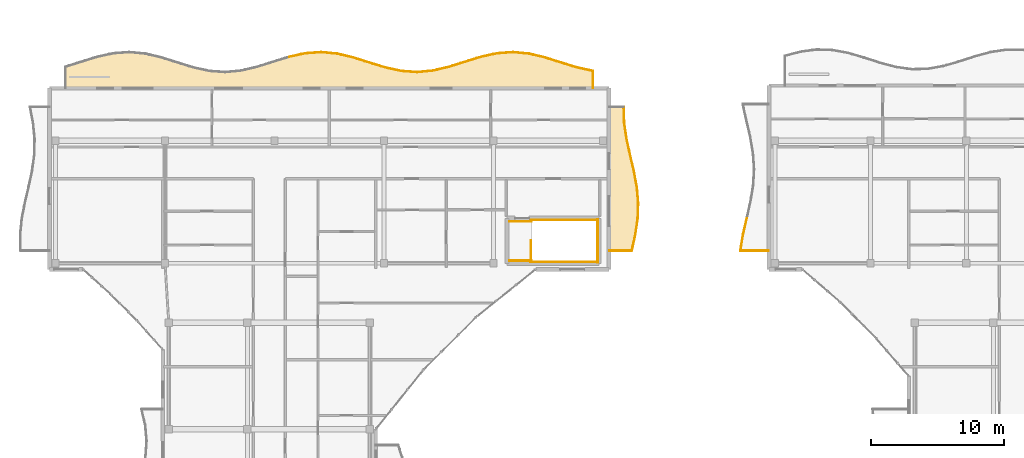
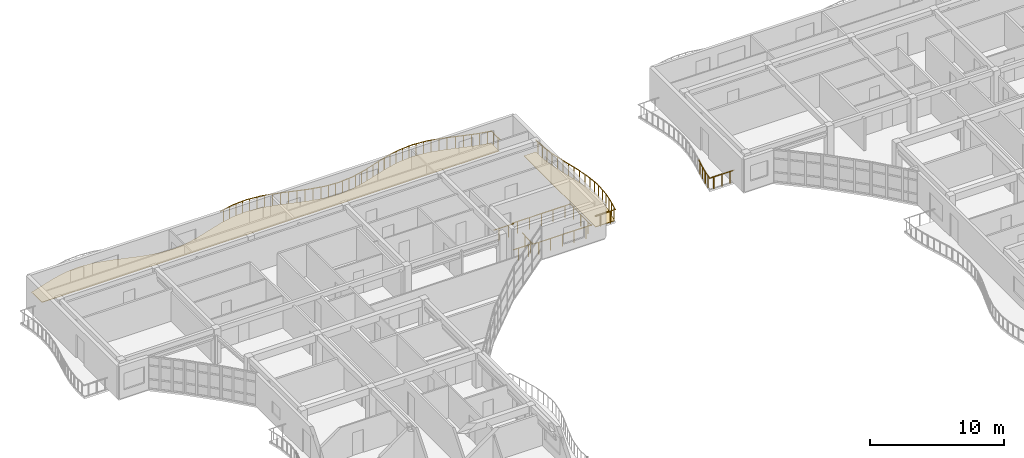
# One storey, part 39 of 49: 39 railings, 2 coverings.
"""IFC4 building model written with IfcOpenShell, lengths in metres."""

from ifc_helpers import new_model, si_unit, direction, frame, origin, origin_2d, place, context, subcontext, project, spatial, polyline, circle, outline, extrude, material, layer, layer_set, type_object, element, save


model = new_model("IFC4")

# Units and contexts
model_context = context("Model", 3, precision=1e-05, world=origin(), true_north=direction((0.0, 1.0)))
body_context = subcontext(model_context, "Body", "Model", "MODEL_VIEW")
ifc_project = project(units=[si_unit("LENGTHUNIT", "METRE"), si_unit("AREAUNIT", "SQUARE_METRE"), si_unit("VOLUMEUNIT", "CUBIC_METRE"), si_unit("PLANEANGLEUNIT", "RADIAN"), si_unit("MASSUNIT", "GRAM", prefix="KILO")], contexts=[model_context])

# Site, building, storey
site_placement = place(None, origin())
site = spatial("IfcSite", under=ifc_project, at=site_placement, CompositionType="ELEMENT")
building_placement = place(site_placement, origin())
building = spatial("IfcBuilding", under=site, at=building_placement, Name="Keldmere Railside Commons", CompositionType="ELEMENT")
storey_placement = place(building_placement, frame((0.0, 0.0, 29.760009765625)))
storey = spatial("IfcBuildingStorey", under=building, at=storey_placement, Name="L09", CompositionType="ELEMENT", Elevation=29.760009765625)

# Railings
ifc_material_1 = material(Name="Steel F-24 (S235)", Category="steel")
railing_type_1 = type_object("IfcRailingType", Name="Balcony & Terrace Steel Balustrade 1100", PredefinedType="BALUSTRADE", material=ifc_material_1)
railing_1_placement = place(storey_placement, frame((57.5, 115.950927734375, 0.0)))
element("IfcRailing", 1, at=railing_1_placement, inside=storey, type_object=railing_type_1, Name="GR-1 GRD-L09-1758", PredefinedType="BALUSTRADE", context=body_context, shape_type="SweptSolid", body=[
    extrude(circle(Radius=0.02392578125, at=origin_2d()), frame((0.0, 0.0, 1.076171875), z_axis=(0.976781887046, 0.214236190078, 0.0), x_axis=(-0.214236190078, 0.976781887046, 0.0)), (0.0, 0.0, 1.0), 1.228515625),
    extrude(circle(Radius=0.02099609375, at=origin_2d()), frame((0.300048828125, 0.06591796875, 0.0)), (0.0, 0.0, 1.0), 1.048095703125),
    extrude(circle(Radius=0.02099609375, at=origin_2d()), frame((0.89990234375, 0.197265625, 0.0)), (0.0, 0.0, 1.0), 1.048095703125),
])
railing_2_placement = place(storey_placement, frame((58.699951171875, 116.214111328125, 0.0)))
element("IfcRailing", 2, at=railing_2_placement, inside=storey, type_object=railing_type_1, Name="GR-1 GRD-L09-1759", PredefinedType="BALUSTRADE", context=body_context, shape_type="SweptSolid", body=[
    extrude(circle(Radius=0.02392578125, at=origin_2d()), frame((0.0, 0.0, 1.076171875), z_axis=(0.997488487704, 0.0708287858, 0.0), x_axis=(-0.0708287858, 0.997488487704, 0.0)), (0.0, 0.0, 1.0), 1.202880859375),
    extrude(circle(Radius=0.02099609375, at=origin_2d()), frame((0.300048828125, 0.021240234375, 0.0)), (0.0, 0.0, 1.0), 1.048095703125),
    extrude(circle(Radius=0.02099609375, at=origin_2d()), frame((0.89990234375, 0.06396484375, 0.0)), (0.0, 0.0, 1.0), 1.048095703125),
])
railing_3_placement = place(storey_placement, frame((59.89990234375, 116.29931640625, 0.0)))
element("IfcRailing", 3, at=railing_3_placement, inside=storey, type_object=railing_type_1, Name="GR-1 GRD-L09-1760", PredefinedType="BALUSTRADE", context=body_context, shape_type="SweptSolid", body=[
    extrude(circle(Radius=0.02392578125, at=origin_2d()), frame((0.0, 0.0, 1.076171875), z_axis=(0.995403091464, -0.09577413797, 0.0), x_axis=(0.09577413797, 0.995403091464, 0.0)), (0.0, 0.0, 1.0), 1.205810546875),
    extrude(circle(Radius=0.02099609375, at=origin_2d()), frame((0.300048828125, -0.02880859375, 0.0)), (0.0, 0.0, 1.0), 1.048095703125),
    extrude(circle(Radius=0.02099609375, at=origin_2d()), frame((0.900146484375, -0.086669921875, 0.0)), (0.0, 0.0, 1.0), 1.048095703125),
])
railing_4_placement = place(storey_placement, frame((61.10009765625, 116.183837890625, 0.0)))
element("IfcRailing", 4, at=railing_4_placement, inside=storey, type_object=railing_type_1, Name="GR-1 GRD-L09-1761", PredefinedType="BALUSTRADE", context=body_context, shape_type="SweptSolid", body=[
    extrude(circle(Radius=0.02392578125, at=origin_2d()), frame((0.0, 0.0, 1.076171875), z_axis=(0.972861405577, -0.231388602873, 0.0), x_axis=(0.231388602873, 0.972861405577, 0.0)), (0.0, 0.0, 1.0), 1.2333984375),
    extrude(circle(Radius=0.02099609375, at=origin_2d()), frame((0.300048828125, -0.0712890625, 0.0)), (0.0, 0.0, 1.0), 1.048095703125),
    extrude(circle(Radius=0.02099609375, at=origin_2d()), frame((0.89990234375, -0.214111328125, 0.0)), (0.0, 0.0, 1.0), 1.048095703125),
])
railing_5_placement = place(storey_placement, frame((62.300048828125, 115.8984375, 0.0)))
element("IfcRailing", 5, at=railing_5_placement, inside=storey, type_object=railing_type_1, Name="GR-1 GRD-L09-1762", PredefinedType="BALUSTRADE", context=body_context, shape_type="SweptSolid", body=[
    extrude(circle(Radius=0.02392578125, at=origin_2d()), frame((0.0, 0.0, 1.076171875), z_axis=(0.953644225651, -0.300936356864, 0.0), x_axis=(0.300936356864, 0.953644225651, 0.0)), (0.0, 0.0, 1.0), 1.25830078125),
    extrude(circle(Radius=0.02099609375, at=origin_2d()), frame((0.300048828125, -0.0947265625, 0.0)), (0.0, 0.0, 1.0), 1.048095703125),
    extrude(circle(Radius=0.02099609375, at=origin_2d()), frame((0.89990234375, -0.283935546875, 0.0)), (0.0, 0.0, 1.0), 1.048095703125),
])
railing_6_placement = place(storey_placement, frame((63.5, 115.519775390625, 0.0)))
element("IfcRailing", 6, at=railing_6_placement, inside=storey, type_object=railing_type_1, Name="GR-1 GRD-L09-1763", PredefinedType="BALUSTRADE", context=body_context, shape_type="SweptSolid", body=[
    extrude(circle(Radius=0.02392578125, at=origin_2d()), frame((0.0, 0.0, 1.076171875), z_axis=(0.95546743694, -0.295096555295, 0.0), x_axis=(0.295096555295, 0.95546743694, 0.0)), (0.0, 0.0, 1.0), 1.255859375),
    extrude(circle(Radius=0.02099609375, at=origin_2d()), frame((0.300048828125, -0.0927734375, 0.0)), (0.0, 0.0, 1.0), 1.048095703125),
    extrude(circle(Radius=0.02099609375, at=origin_2d()), frame((0.89990234375, -0.27783203125, 0.0)), (0.0, 0.0, 1.0), 1.048095703125),
])
railing_7_placement = place(storey_placement, frame((64.699951171875, 115.149169921875, 0.0)))
element("IfcRailing", 7, at=railing_7_placement, inside=storey, type_object=railing_type_1, Name="GR-1 GRD-L09-1764", PredefinedType="BALUSTRADE", context=body_context, shape_type="SweptSolid", body=[
    extrude(circle(Radius=0.02392578125, at=origin_2d()), frame((0.0, 0.0, 1.076171875), z_axis=(0.976781887046, -0.214236190078, 0.0), x_axis=(0.214236190078, 0.976781887046, 0.0)), (0.0, 0.0, 1.0), 1.228515625),
    extrude(circle(Radius=0.02099609375, at=origin_2d()), frame((0.300048828125, -0.06591796875, 0.0)), (0.0, 0.0, 1.0), 1.048095703125),
    extrude(circle(Radius=0.02099609375, at=origin_2d()), frame((0.89990234375, -0.197265625, 0.0)), (0.0, 0.0, 1.0), 1.048095703125),
])
railing_8_placement = place(storey_placement, frame((65.89990234375, 114.885986328125, 0.0)))
element("IfcRailing", 8, at=railing_8_placement, inside=storey, type_object=railing_type_1, Name="GR-1 GRD-L09-1765", PredefinedType="BALUSTRADE", context=body_context, shape_type="SweptSolid", body=[
    extrude(circle(Radius=0.02392578125, at=origin_2d()), frame((0.0, 0.0, 1.076171875), z_axis=(0.997475152646, -0.071016335115, 0.0), x_axis=(0.071016335115, 0.997475152646, 0.0)), (0.0, 0.0, 1.0), 1.203125),
    extrude(circle(Radius=0.02099609375, at=origin_2d()), frame((0.300048828125, -0.021484375, 0.0)), (0.0, 0.0, 1.0), 1.048095703125),
    extrude(circle(Radius=0.02099609375, at=origin_2d()), frame((0.900146484375, -0.06396484375, 0.0)), (0.0, 0.0, 1.0), 1.048095703125),
])
railing_9_placement = place(storey_placement, frame((67.10009765625, 114.800537109375, 0.0)))
element("IfcRailing", 9, at=railing_9_placement, inside=storey, type_object=railing_type_1, Name="GR-1 GRD-L09-1766", PredefinedType="BALUSTRADE", context=body_context, shape_type="SweptSolid", body=[
    extrude(circle(Radius=0.02392578125, at=origin_2d()), frame((0.0, 0.0, 1.076171875), z_axis=(0.995381902574, 0.095994104134, 0.0), x_axis=(-0.095994104134, 0.995381902574, 0.0)), (0.0, 0.0, 1.0), 1.20556640625),
    extrude(circle(Radius=0.02099609375, at=origin_2d()), frame((0.300048828125, 0.02880859375, 0.0)), (0.0, 0.0, 1.0), 1.048095703125),
    extrude(circle(Radius=0.02099609375, at=origin_2d()), frame((0.89990234375, 0.0869140625, 0.0)), (0.0, 0.0, 1.0), 1.048095703125),
])
railing_10_placement = place(storey_placement, frame((68.300048828125, 114.916259765625, 0.0)))
element("IfcRailing", 10, at=railing_10_placement, inside=storey, type_object=railing_type_1, Name="GR-1 GRD-L09-1767", PredefinedType="BALUSTRADE", context=body_context, shape_type="SweptSolid", body=[
    extrude(circle(Radius=0.02392578125, at=origin_2d()), frame((0.0, 0.0, 1.076171875), z_axis=(0.972905947034, 0.231201250485, 0.0), x_axis=(-0.231201250485, 0.972905947034, 0.0)), (0.0, 0.0, 1.0), 1.2333984375),
    extrude(circle(Radius=0.02099609375, at=origin_2d()), frame((0.300048828125, 0.0712890625, 0.0)), (0.0, 0.0, 1.0), 1.048095703125),
    extrude(circle(Radius=0.02099609375, at=origin_2d()), frame((0.89990234375, 0.2138671875, 0.0)), (0.0, 0.0, 1.0), 1.048095703125),
])
railing_11_placement = place(storey_placement, frame((69.5, 115.201416015625, 0.0)))
element("IfcRailing", 11, at=railing_11_placement, inside=storey, type_object=railing_type_1, Name="GR-1 GRD-L09-1768", PredefinedType="BALUSTRADE", context=body_context, shape_type="SweptSolid", body=[
    extrude(circle(Radius=0.02392578125, at=origin_2d()), frame((0.0, 0.0, 1.076171875), z_axis=(0.953588529416, 0.301112797081, 0.0), x_axis=(-0.301112797081, 0.953588529416, 0.0)), (0.0, 0.0, 1.0), 1.25830078125),
    extrude(circle(Radius=0.02099609375, at=origin_2d()), frame((0.300048828125, 0.0947265625, 0.0)), (0.0, 0.0, 1.0), 1.048095703125),
    extrude(circle(Radius=0.02099609375, at=origin_2d()), frame((0.89990234375, 0.2841796875, 0.0)), (0.0, 0.0, 1.0), 1.048095703125),
])
railing_12_placement = place(storey_placement, frame((70.699951171875, 115.580322265625, 0.0)))
element("IfcRailing", 12, at=railing_12_placement, inside=storey, type_object=railing_type_1, Name="GR-1 GRD-L09-1769", PredefinedType="BALUSTRADE", context=body_context, shape_type="SweptSolid", body=[
    extrude(circle(Radius=0.02392578125, at=origin_2d()), frame((0.0, 0.0, 1.076171875), z_axis=(0.95546743694, 0.295096555295, 0.0), x_axis=(-0.295096555295, 0.95546743694, 0.0)), (0.0, 0.0, 1.0), 1.255859375),
    extrude(circle(Radius=0.02099609375, at=origin_2d()), frame((0.300048828125, 0.0927734375, 0.0)), (0.0, 0.0, 1.0), 1.048095703125),
    extrude(circle(Radius=0.02099609375, at=origin_2d()), frame((0.89990234375, 0.27783203125, 0.0)), (0.0, 0.0, 1.0), 1.048095703125),
])
railing_13_placement = place(storey_placement, frame((71.89990234375, 115.950927734375, 0.0)))
element("IfcRailing", 13, at=railing_13_placement, inside=storey, type_object=railing_type_1, Name="GR-1 GRD-L09-1770", PredefinedType="BALUSTRADE", context=body_context, shape_type="SweptSolid", body=[
    extrude(circle(Radius=0.02392578125, at=origin_2d()), frame((0.0, 0.0, 1.076171875), z_axis=(0.976791005754, 0.214194610293, 0.0), x_axis=(-0.214194610293, 0.976791005754, 0.0)), (0.0, 0.0, 1.0), 1.228759765625),
    extrude(circle(Radius=0.02099609375, at=origin_2d()), frame((0.300048828125, 0.06591796875, 0.0)), (0.0, 0.0, 1.0), 1.048095703125),
    extrude(circle(Radius=0.02099609375, at=origin_2d()), frame((0.900146484375, 0.197265625, 0.0)), (0.0, 0.0, 1.0), 1.048095703125),
])
railing_14_placement = place(storey_placement, frame((73.10009765625, 116.214111328125, 0.0)))
element("IfcRailing", 14, at=railing_14_placement, inside=storey, type_object=railing_type_1, Name="GR-1 GRD-L09-1771", PredefinedType="BALUSTRADE", context=body_context, shape_type="SweptSolid", body=[
    extrude(circle(Radius=0.02392578125, at=origin_2d()), frame((0.0, 0.0, 1.076171875), z_axis=(0.997488487704, 0.0708287858, 0.0), x_axis=(-0.0708287858, 0.997488487704, 0.0)), (0.0, 0.0, 1.0), 1.202880859375),
    extrude(circle(Radius=0.02099609375, at=origin_2d()), frame((0.300048828125, 0.021240234375, 0.0)), (0.0, 0.0, 1.0), 1.048095703125),
    extrude(circle(Radius=0.02099609375, at=origin_2d()), frame((0.89990234375, 0.06396484375, 0.0)), (0.0, 0.0, 1.0), 1.048095703125),
])
railing_15_placement = place(storey_placement, frame((74.300048828125, 116.29931640625, 0.0)))
element("IfcRailing", 15, at=railing_15_placement, inside=storey, type_object=railing_type_1, Name="GR-1 GRD-L09-1772", PredefinedType="BALUSTRADE", context=body_context, shape_type="SweptSolid", body=[
    extrude(circle(Radius=0.02392578125, at=origin_2d()), frame((0.0, 0.0, 1.076171875), z_axis=(0.995401233596, -0.095793445268, 0.0), x_axis=(0.095793445268, 0.995401233596, 0.0)), (0.0, 0.0, 1.0), 1.20556640625),
    extrude(circle(Radius=0.02099609375, at=origin_2d()), frame((0.300048828125, -0.02880859375, 0.0)), (0.0, 0.0, 1.0), 1.048095703125),
    extrude(circle(Radius=0.02099609375, at=origin_2d()), frame((0.89990234375, -0.086669921875, 0.0)), (0.0, 0.0, 1.0), 1.048095703125),
])
railing_16_placement = place(storey_placement, frame((75.5, 116.183837890625, 0.0)))
element("IfcRailing", 16, at=railing_16_placement, inside=storey, type_object=railing_type_1, Name="GR-1 GRD-L09-1773", PredefinedType="BALUSTRADE", context=body_context, shape_type="SweptSolid", body=[
    extrude(circle(Radius=0.02392578125, at=origin_2d()), frame((0.0, 0.0, 1.076171875), z_axis=(0.972861405577, -0.231388602873, 0.0), x_axis=(0.231388602873, 0.972861405577, 0.0)), (0.0, 0.0, 1.0), 1.2333984375),
    extrude(circle(Radius=0.02099609375, at=origin_2d()), frame((0.300048828125, -0.0712890625, 0.0)), (0.0, 0.0, 1.0), 1.048095703125),
    extrude(circle(Radius=0.02099609375, at=origin_2d()), frame((0.89990234375, -0.214111328125, 0.0)), (0.0, 0.0, 1.0), 1.048095703125),
])
railing_17_placement = place(storey_placement, frame((76.699951171875, 115.8984375, 0.0)))
element("IfcRailing", 17, at=railing_17_placement, inside=storey, type_object=railing_type_1, Name="GR-1 GRD-L09-1774", PredefinedType="BALUSTRADE", context=body_context, shape_type="SweptSolid", body=[
    extrude(circle(Radius=0.02392578125, at=origin_2d()), frame((0.0, 0.0, 1.076171875), z_axis=(0.953644225651, -0.300936356864, 0.0), x_axis=(0.300936356864, 0.953644225651, 0.0)), (0.0, 0.0, 1.0), 1.25830078125),
    extrude(circle(Radius=0.02099609375, at=origin_2d()), frame((0.300048828125, -0.0947265625, 0.0)), (0.0, 0.0, 1.0), 1.048095703125),
    extrude(circle(Radius=0.02099609375, at=origin_2d()), frame((0.89990234375, -0.283935546875, 0.0)), (0.0, 0.0, 1.0), 1.048095703125),
])
railing_18_placement = place(storey_placement, frame((77.89990234375, 115.519775390625, 0.0)))
element("IfcRailing", 18, at=railing_18_placement, inside=storey, type_object=railing_type_1, Name="GR-1 GRD-L09-1775", PredefinedType="BALUSTRADE", context=body_context, shape_type="SweptSolid", body=[
    extrude(circle(Radius=0.02392578125, at=origin_2d()), frame((0.0, 0.0, 1.076171875), z_axis=(0.955484360809, -0.295041753399, 0.0), x_axis=(0.295041753399, 0.955484360809, 0.0)), (0.0, 0.0, 1.0), 1.256103515625),
    extrude(circle(Radius=0.02099609375, at=origin_2d()), frame((0.300048828125, -0.0927734375, 0.0)), (0.0, 0.0, 1.0), 1.048095703125),
    extrude(circle(Radius=0.02099609375, at=origin_2d()), frame((0.900146484375, -0.27783203125, 0.0)), (0.0, 0.0, 1.0), 1.048095703125),
])
railing_19_placement = place(storey_placement, frame((79.10009765625, 115.149169921875, 0.0)))
element("IfcRailing", 19, at=railing_19_placement, inside=storey, type_object=railing_type_1, Name="GR-1 GRD-L09-1776", PredefinedType="BALUSTRADE", context=body_context, shape_type="SweptSolid", body=[
    extrude(circle(Radius=0.02392578125, at=origin_2d()), frame((0.0, 0.0, 1.076171875), z_axis=(0.976781887046, -0.214236190078, 0.0), x_axis=(0.214236190078, 0.976781887046, 0.0)), (0.0, 0.0, 1.0), 1.228515625),
    extrude(circle(Radius=0.02099609375, at=origin_2d()), frame((0.300048828125, -0.06591796875, 0.0)), (0.0, 0.0, 1.0), 1.048095703125),
    extrude(circle(Radius=0.02099609375, at=origin_2d()), frame((0.89990234375, -0.197265625, 0.0)), (0.0, 0.0, 1.0), 1.048095703125),
])
railing_20_placement = place(storey_placement, frame((80.300048828125, 114.885986328125, 0.0)))
element("IfcRailing", 20, at=railing_20_placement, inside=storey, type_object=railing_type_1, Name="GR-1 GRD-L09-1777", PredefinedType="BALUSTRADE", context=body_context, shape_type="SweptSolid", body=[
    extrude(circle(Radius=0.02392578125, at=origin_2d()), frame((0.0, 0.0, 1.076171875), z_axis=(0.0, -1.0, 0.0), x_axis=(1.0, 0.0, 0.0)), (0.0, 0.0, 1.0), 1.285888671875),
    extrude(circle(Radius=0.02099609375, at=origin_2d()), frame((0.0, -0.321533203125, 0.0)), (0.0, 0.0, 1.0), 1.048095703125),
    extrude(circle(Radius=0.02099609375, at=origin_2d()), frame((0.0, -0.96435546875, 0.0)), (0.0, 0.0, 1.0), 1.048095703125),
])
railing_21_placement = place(storey_placement, frame((81.5, 101.39990234375, 0.0)))
element("IfcRailing", 21, at=railing_21_placement, inside=storey, type_object=railing_type_1, Name="GR-1 GRD-L09-1819", PredefinedType="BALUSTRADE", context=body_context, shape_type="SweptSolid", body=[
    extrude(circle(Radius=0.02392578125, at=origin_2d()), frame((0.0, 0.0, 1.076171875), z_axis=(1.0, 0.0, 0.0), x_axis=(0.0, 1.0, 0.0)), (0.0, 0.0, 1.0), 1.714111328125),
    extrude(circle(Radius=0.02099609375, at=origin_2d()), frame((0.428466796875, 0.0, 0.0)), (0.0, 0.0, 1.0), 1.048095703125),
    extrude(circle(Radius=0.02099609375, at=origin_2d()), frame((1.28564453125, 0.0, 0.0)), (0.0, 0.0, 1.0), 1.048095703125),
])
railing_22_placement = place(storey_placement, frame((83.214111328125, 101.39990234375, 0.0)))
element("IfcRailing", 22, at=railing_22_placement, inside=storey, type_object=railing_type_1, Name="GR-1 GRD-L09-1820", PredefinedType="BALUSTRADE", context=body_context, shape_type="SweptSolid", body=[
    extrude(circle(Radius=0.02392578125, at=origin_2d()), frame((0.0, 0.0, 1.076171875), z_axis=(0.215142208594, 0.976582730792, 0.0), x_axis=(-0.976582730792, 0.215142208594, 0.0)), (0.0, 0.0, 1.0), 1.22900390625),
    extrude(circle(Radius=0.02099609375, at=origin_2d()), frame((0.066162109375, 0.300048828125, 0.0)), (0.0, 0.0, 1.0), 1.048095703125),
    extrude(circle(Radius=0.02099609375, at=origin_2d()), frame((0.1982421875, 0.900146484375, 0.0)), (0.0, 0.0, 1.0), 1.048095703125),
])
railing_23_placement = place(storey_placement, frame((83.478515625, 102.60009765625, 0.0)))
element("IfcRailing", 23, at=railing_23_placement, inside=storey, type_object=railing_type_1, Name="GR-1 GRD-L09-1821", PredefinedType="BALUSTRADE", context=body_context, shape_type="SweptSolid", body=[
    extrude(circle(Radius=0.02392578125, at=origin_2d()), frame((0.0, 0.0, 1.076171875), z_axis=(0.145534555691, 0.989353169045, 0.0), x_axis=(-0.989353169045, 0.145534555691, 0.0)), (0.0, 0.0, 1.0), 1.212890625),
    extrude(circle(Radius=0.02099609375, at=origin_2d()), frame((0.044189453125, 0.300048828125, 0.0)), (0.0, 0.0, 1.0), 1.048095703125),
    extrude(circle(Radius=0.02099609375, at=origin_2d()), frame((0.13232421875, 0.89990234375, 0.0)), (0.0, 0.0, 1.0), 1.048095703125),
])
railing_24_placement = place(storey_placement, frame((83.655029296875, 103.800048828125, 0.0)))
element("IfcRailing", 24, at=railing_24_placement, inside=storey, type_object=railing_type_1, Name="GR-1 GRD-L09-1822", PredefinedType="BALUSTRADE", context=body_context, shape_type="SweptSolid", body=[
    extrude(circle(Radius=0.02392578125, at=origin_2d()), frame((0.0, 0.0, 1.076171875), z_axis=(0.03436422878, 0.999409375472, 0.0), x_axis=(-0.999409375472, 0.03436422878, 0.0)), (0.0, 0.0, 1.0), 1.20068359375),
    extrude(circle(Radius=0.02099609375, at=origin_2d()), frame((0.01025390625, 0.300048828125, 0.0)), (0.0, 0.0, 1.0), 1.048095703125),
    extrude(circle(Radius=0.02099609375, at=origin_2d()), frame((0.031005859375, 0.89990234375, 0.0)), (0.0, 0.0, 1.0), 1.048095703125),
])
railing_25_placement = place(storey_placement, frame((83.6962890625, 105.0, 0.0)))
element("IfcRailing", 25, at=railing_25_placement, inside=storey, type_object=railing_type_1, Name="GR-1 GRD-L09-1823", PredefinedType="BALUSTRADE", context=body_context, shape_type="SweptSolid", body=[
    extrude(circle(Radius=0.02392578125, at=origin_2d()), frame((0.0, 0.0, 1.076171875), z_axis=(-0.087355518436, 0.996177199799, 0.0), x_axis=(-0.996177199799, -0.087355518436, 0.0)), (0.0, 0.0, 1.0), 1.20458984375),
    extrude(circle(Radius=0.02099609375, at=origin_2d()), frame((-0.0263671875, 0.300048828125, 0.0)), (0.0, 0.0, 1.0), 1.048095703125),
    extrude(circle(Radius=0.02099609375, at=origin_2d()), frame((-0.078857421875, 0.89990234375, 0.0)), (0.0, 0.0, 1.0), 1.048095703125),
])
railing_26_placement = place(storey_placement, frame((83.591064453125, 106.199951171875, 0.0)))
element("IfcRailing", 26, at=railing_26_placement, inside=storey, type_object=railing_type_1, Name="GR-1 GRD-L09-1824", PredefinedType="BALUSTRADE", context=body_context, shape_type="SweptSolid", body=[
    extrude(circle(Radius=0.02392578125, at=origin_2d()), frame((0.0, 0.0, 1.076171875), z_axis=(-0.183020316383, 0.983109131171, 0.0), x_axis=(-0.983109131171, -0.183020316383, 0.0)), (0.0, 0.0, 1.0), 1.220458984375),
    extrude(circle(Radius=0.02099609375, at=origin_2d()), frame((-0.055908203125, 0.300048828125, 0.0)), (0.0, 0.0, 1.0), 1.048095703125),
    extrude(circle(Radius=0.02099609375, at=origin_2d()), frame((-0.16748046875, 0.89990234375, 0.0)), (0.0, 0.0, 1.0), 1.048095703125),
])
railing_27_placement = place(storey_placement, frame((83.36767578125, 107.39990234375, 0.0)))
element("IfcRailing", 27, at=railing_27_placement, inside=storey, type_object=railing_type_1, Name="GR-1 GRD-L09-1825", PredefinedType="BALUSTRADE", context=body_context, shape_type="SweptSolid", body=[
    extrude(circle(Radius=0.02392578125, at=origin_2d()), frame((0.0, 0.0, 1.076171875), z_axis=(-0.228531555667, 0.973536505769, 0.0), x_axis=(-0.973536505769, -0.228531555667, 0.0)), (0.0, 0.0, 1.0), 1.23291015625),
    extrude(circle(Radius=0.02099609375, at=origin_2d()), frame((-0.0703125, 0.300048828125, 0.0)), (0.0, 0.0, 1.0), 1.048095703125),
    extrude(circle(Radius=0.02099609375, at=origin_2d()), frame((-0.21142578125, 0.900146484375, 0.0)), (0.0, 0.0, 1.0), 1.048095703125),
])
railing_28_placement = place(storey_placement, frame((83.0859375, 108.60009765625, 0.0)))
element("IfcRailing", 28, at=railing_28_placement, inside=storey, type_object=railing_type_1, Name="GR-1 GRD-L09-1826", PredefinedType="BALUSTRADE", context=body_context, shape_type="SweptSolid", body=[
    extrude(circle(Radius=0.02392578125, at=origin_2d()), frame((0.0, 0.0, 1.076171875), z_axis=(-0.215373434555, 0.976531762765, 0.0), x_axis=(-0.976531762765, -0.215373434555, 0.0)), (0.0, 0.0, 1.0), 1.228759765625),
    extrude(circle(Radius=0.02099609375, at=origin_2d()), frame((-0.066162109375, 0.300048828125, 0.0)), (0.0, 0.0, 1.0), 1.048095703125),
    extrude(circle(Radius=0.02099609375, at=origin_2d()), frame((-0.198486328125, 0.89990234375, 0.0)), (0.0, 0.0, 1.0), 1.048095703125),
])
railing_29_placement = place(storey_placement, frame((82.8212890625, 109.800048828125, 0.0)))
element("IfcRailing", 29, at=railing_29_placement, inside=storey, type_object=railing_type_1, Name="GR-1 GRD-L09-1827", PredefinedType="BALUSTRADE", context=body_context, shape_type="SweptSolid", body=[
    extrude(circle(Radius=0.02392578125, at=origin_2d()), frame((0.0, 0.0, 1.076171875), z_axis=(-0.145337517867, 0.989382133405, 0.0), x_axis=(-0.989382133405, -0.145337517867, 0.0)), (0.0, 0.0, 1.0), 1.212890625),
    extrude(circle(Radius=0.02099609375, at=origin_2d()), frame((-0.0439453125, 0.300048828125, 0.0)), (0.0, 0.0, 1.0), 1.048095703125),
    extrude(circle(Radius=0.02099609375, at=origin_2d()), frame((-0.13232421875, 0.89990234375, 0.0)), (0.0, 0.0, 1.0), 1.048095703125),
])
railing_30_placement = place(storey_placement, frame((82.64501953125, 111.0, 0.0)))
element("IfcRailing", 30, at=railing_30_placement, inside=storey, type_object=railing_type_1, Name="GR-1 GRD-L09-1828", PredefinedType="BALUSTRADE", context=body_context, shape_type="SweptSolid", body=[
    extrude(circle(Radius=0.02392578125, at=origin_2d()), frame((0.0, 0.0, 1.076171875), z_axis=(-0.03436422878, 0.999409375472, 0.0), x_axis=(-0.999409375472, -0.03436422878, 0.0)), (0.0, 0.0, 1.0), 1.20068359375),
    extrude(circle(Radius=0.02099609375, at=origin_2d()), frame((-0.01025390625, 0.300048828125, 0.0)), (0.0, 0.0, 1.0), 1.048095703125),
    extrude(circle(Radius=0.02099609375, at=origin_2d()), frame((-0.031005859375, 0.89990234375, 0.0)), (0.0, 0.0, 1.0), 1.048095703125),
])
railing_31_placement = place(storey_placement, frame((93.5, 101.39990234375, 0.0)))
element("IfcRailing", 31, at=railing_31_placement, inside=storey, type_object=railing_type_1, Name="GR-1 GRD-L09-2933", PredefinedType="BALUSTRADE", context=body_context, shape_type="SweptSolid", body=[
    extrude(circle(Radius=0.02392578125, at=origin_2d()), frame((0.0, 0.0, 1.076171875), z_axis=(-1.0, 0.0, 0.0), x_axis=(0.0, -1.0, 0.0)), (0.0, 0.0, 1.0), 2.1337890625),
    extrude(circle(Radius=0.02099609375, at=origin_2d()), frame((-0.355712890625, 0.0, 0.0)), (0.0, 0.0, 1.0), 1.048095703125),
    extrude(circle(Radius=0.02099609375, at=origin_2d()), frame((-1.06689453125, 0.0, 0.0)), (0.0, 0.0, 1.0), 1.048095703125),
    extrude(circle(Radius=0.02099609375, at=origin_2d()), frame((-1.778076171875, 0.0, 0.0)), (0.0, 0.0, 1.0), 1.048095703125),
])
railing_32_placement = place(storey_placement, frame((91.3662109375, 101.39990234375, 0.0)))
element("IfcRailing", 32, at=railing_32_placement, inside=storey, type_object=railing_type_1, Name="GR-1 GRD-L09-2934", PredefinedType="BALUSTRADE", context=body_context, shape_type="SweptSolid", body=[
    extrude(circle(Radius=0.02392578125, at=origin_2d()), frame((0.0, 0.0, 1.076171875), z_axis=(0.161617699963, 0.986853443556, 0.0), x_axis=(-0.986853443556, 0.161617699963, 0.0)), (0.0, 0.0, 1.0), 1.23876953125),
    extrude(circle(Radius=0.02099609375, at=origin_2d()), frame((0.050048828125, 0.3056640625, 0.0)), (0.0, 0.0, 1.0), 1.048095703125),
    extrude(circle(Radius=0.02099609375, at=origin_2d()), frame((0.150146484375, 0.916748046875, 0.0)), (0.0, 0.0, 1.0), 1.048095703125),
])
railing_33_placement = place(storey_placement, frame((91.56640625, 102.622314453125, 0.0)))
element("IfcRailing", 33, at=railing_33_placement, inside=storey, type_object=railing_type_1, Name="GR-1 GRD-L09-2935", PredefinedType="BALUSTRADE", context=body_context, shape_type="SweptSolid", body=[
    extrude(circle(Radius=0.02392578125, at=origin_2d()), frame((0.0, 0.0, 1.076171875), z_axis=(0.222597412717, 0.974910453248, 0.0), x_axis=(-0.974910453248, 0.222597412717, 0.0)), (0.0, 0.0, 1.0), 1.253662109375),
    extrude(circle(Radius=0.02099609375, at=origin_2d()), frame((0.06982421875, 0.3056640625, 0.0)), (0.0, 0.0, 1.0), 1.048095703125),
    extrude(circle(Radius=0.02099609375, at=origin_2d()), frame((0.209228515625, 0.91650390625, 0.0)), (0.0, 0.0, 1.0), 1.048095703125),
])
railing_type_2 = type_object("IfcRailingType", Name="Stair Well Steel Guardrail 1100", PredefinedType="BALUSTRADE", material=ifc_material_1)
railing_34_placement = place(storey_placement, frame((75.64990234375, 100.60009765625, 0.0)))
element("IfcRailing", 34, at=railing_34_placement, inside=storey, type_object=railing_type_2, Name="L09 ST-C2 top well guard 1", PredefinedType="BALUSTRADE", context=body_context, shape_type="SweptSolid", body=[
    extrude(circle(Radius=0.02392578125, at=origin_2d()), frame((0.0, 0.0, 1.076171875), z_axis=(0.0, 1.0, 0.0), x_axis=(-1.0, 0.0, 0.0)), (0.0, 0.0, 1.0), 1.599853515625),
    extrude(circle(Radius=0.02099609375, at=origin_2d()), frame((0.0, 0.39990234375, 0.0)), (0.0, 0.0, 1.0), 1.048095703125),
    extrude(circle(Radius=0.02099609375, at=origin_2d()), frame((0.0, 1.199951171875, 0.0)), (0.0, 0.0, 1.0), 1.048095703125),
])
for number, where, name in (
    (35, (75.60009765625, 100.550048828125, 0.0), "L09 ST-C2 top well guard 2"),
    (36, (75.60009765625, 103.699951171875, 0.0), "L09 ST-C2 top well guard 3"),
):
    element("IfcRailing", number, at=place(storey_placement, frame(where)), inside=storey, type_object=railing_type_2, Name=name, PredefinedType="BALUSTRADE", context=body_context, shape_type="SweptSolid", body=[
        extrude(circle(Radius=0.02392578125, at=origin_2d()), frame((0.0, 0.0, 1.076171875), z_axis=(1.0, 0.0, 0.0), x_axis=(0.0, 1.0, 0.0)), (0.0, 0.0, 1.0), 5.099853515625),
        extrude(circle(Radius=0.02099609375, at=origin_2d()), frame((0.510009765625, 0.0, 0.0)), (0.0, 0.0, 1.0), 1.048095703125),
        extrude(circle(Radius=0.02099609375, at=origin_2d()), frame((1.530029296875, 0.0, 0.0)), (0.0, 0.0, 1.0), 1.048095703125),
        extrude(circle(Radius=0.02099609375, at=origin_2d()), frame((2.5498046875, 0.0, 0.0)), (0.0, 0.0, 1.0), 1.048095703125),
        extrude(circle(Radius=0.02099609375, at=origin_2d()), frame((3.56982421875, 0.0, 0.0)), (0.0, 0.0, 1.0), 1.048095703125),
        extrude(circle(Radius=0.02099609375, at=origin_2d()), frame((4.58984375, 0.0, 0.0)), (0.0, 0.0, 1.0), 1.048095703125),
    ])
railing_35_placement = place(storey_placement, frame((80.64990234375, 100.5, 0.0)))
element("IfcRailing", 37, at=railing_35_placement, inside=storey, type_object=railing_type_2, Name="L09 ST-C2 top well guard 4", PredefinedType="BALUSTRADE", context=body_context, shape_type="SweptSolid", body=[
    extrude(circle(Radius=0.02392578125, at=origin_2d()), frame((0.0, 0.0, 1.076171875), z_axis=(0.0, 1.0, 0.0), x_axis=(-1.0, 0.0, 0.0)), (0.0, 0.0, 1.0), 3.25),
    extrude(circle(Radius=0.02099609375, at=origin_2d()), frame((0.0, 0.541748046875, 0.0)), (0.0, 0.0, 1.0), 1.048095703125),
    extrude(circle(Radius=0.02099609375, at=origin_2d()), frame((0.0, 1.625, 0.0)), (0.0, 0.0, 1.0), 1.048095703125),
    extrude(circle(Radius=0.02099609375, at=origin_2d()), frame((0.0, 2.708251953125, 0.0)), (0.0, 0.0, 1.0), 1.048095703125),
])
for number, where, name in (
    (38, (74.0, 100.64990234375, 0.0), "L09 ST-C2 top well guard 5"),
    (39, (74.0, 103.60009765625, 0.0), "L09 ST-C2 top well guard 6"),
):
    element("IfcRailing", number, at=place(storey_placement, frame(where)), inside=storey, type_object=railing_type_2, Name=name, PredefinedType="BALUSTRADE", context=body_context, shape_type="SweptSolid", body=[
        extrude(circle(Radius=0.02392578125, at=origin_2d()), frame((0.0, 0.0, 1.076171875), z_axis=(1.0, 0.0, 0.0), x_axis=(0.0, 1.0, 0.0)), (0.0, 0.0, 1.0), 1.699951171875),
        extrude(circle(Radius=0.02099609375, at=origin_2d()), frame((0.425048828125, 0.0, 0.0)), (0.0, 0.0, 1.0), 1.048095703125),
        extrude(circle(Radius=0.02099609375, at=origin_2d()), frame((1.27490234375, 0.0, 0.0)), (0.0, 0.0, 1.0), 1.048095703125),
    ])

# Coverings
ifc_material_2 = material(Name="White Precast Concrete C35/45", Category="concrete")
ifc_layer = layer(ifc_material_2, 0.044921875, Name="White Architectural Balcony Ribbon Cladding 45")
ifc_layer_set = layer_set([ifc_layer], Name="White Precast Concrete C35/45")
covering_type = type_object("IfcCoveringType", Name="White Architectural Balcony Ribbon Cladding 45", PredefinedType="FLOORING", material=ifc_layer_set)
covering_1_placement = place(storey_placement, origin())
element("IfcCovering", 40, at=covering_1_placement, inside=storey, type_object=covering_type, Name="CLG-WB C L09 N White Balcony Ribbon", PredefinedType="FLOORING", context=body_context, shape_type="SweptSolid", body=[
    extrude(outline(polyline([(80.260009765625, 113.639892578125), (80.260009765625, 114.853759765625), (79.09130859375, 115.110107421875), (79.088134765625, 115.11083984375), (77.88818359375, 115.4814453125), (77.887939453125, 115.481689453125), (76.689208984375, 115.85986328125), (75.493408203125, 116.144287109375), (74.299560546875, 116.25927734375), (73.105712890625, 116.17431640625), (71.91015625, 115.912109375), (70.7119140625, 115.5419921875), (69.511962890625, 115.163330078125), (69.50927734375, 115.16259765625), (68.309326171875, 114.877197265625), (68.3037109375, 114.87646484375), (67.103759765625, 114.7607421875), (67.1005859375, 114.760498046875), (67.09716796875, 114.7607421875), (65.897216796875, 114.845947265625), (65.891357421875, 114.8466796875), (64.69140625, 115.110107421875), (64.688232421875, 115.11083984375), (63.48828125, 115.4814453125), (63.488037109375, 115.481689453125), (62.289306640625, 115.85986328125), (61.093505859375, 116.144287109375), (59.8994140625, 116.25927734375), (58.705810546875, 116.17431640625), (57.51025390625, 115.912109375), (56.31201171875, 115.5419921875), (55.112060546875, 115.163330078125), (55.109375, 115.16259765625), (53.9091796875, 114.877197265625), (53.90380859375, 114.87646484375), (52.703857421875, 114.7607421875), (52.700439453125, 114.760498046875), (52.697265625, 114.7607421875), (51.497314453125, 114.845947265625), (51.491455078125, 114.8466796875), (50.29150390625, 115.110107421875), (50.2880859375, 115.11083984375), (49.088134765625, 115.4814453125), (49.087890625, 115.481689453125), (47.889404296875, 115.85986328125), (46.693359375, 116.144287109375), (45.49951171875, 116.25927734375), (44.3056640625, 116.17431640625), (43.110107421875, 115.912109375), (41.911865234375, 115.5419921875), (40.739990234375, 115.172119140625), (40.739990234375, 113.639892578125), (80.260009765625, 113.639892578125)])), origin(), (0.0, 0.0, 1.0), 0.044921875),
])
covering_2_placement = place(storey_placement, origin())
element("IfcCovering", 41, at=covering_2_placement, inside=storey, type_object=covering_type, Name="CLG-WB C L09 WE White Balcony Ribbon", PredefinedType="FLOORING", context=body_context, shape_type="SweptSolid", body=[
    extrude(outline(polyline([(83.439208984375, 102.607177734375), (83.615234375, 103.8037109375), (83.65625, 104.998779296875), (83.55126953125, 106.194580078125), (83.328369140625, 107.391845703125), (83.047119140625, 108.5908203125), (83.046875, 108.59130859375), (82.7822265625, 109.79150390625), (82.78173828125, 109.794189453125), (82.605224609375, 110.994140625), (82.60498046875, 110.99853515625), (82.56494140625, 112.159912109375), (81.5400390625, 112.159912109375), (81.5400390625, 101.43994140625), (83.181884765625, 101.43994140625), (83.439208984375, 102.607177734375)])), origin(), (0.0, 0.0, 1.0), 0.044921875),
])

save(model, "model.ifc")
